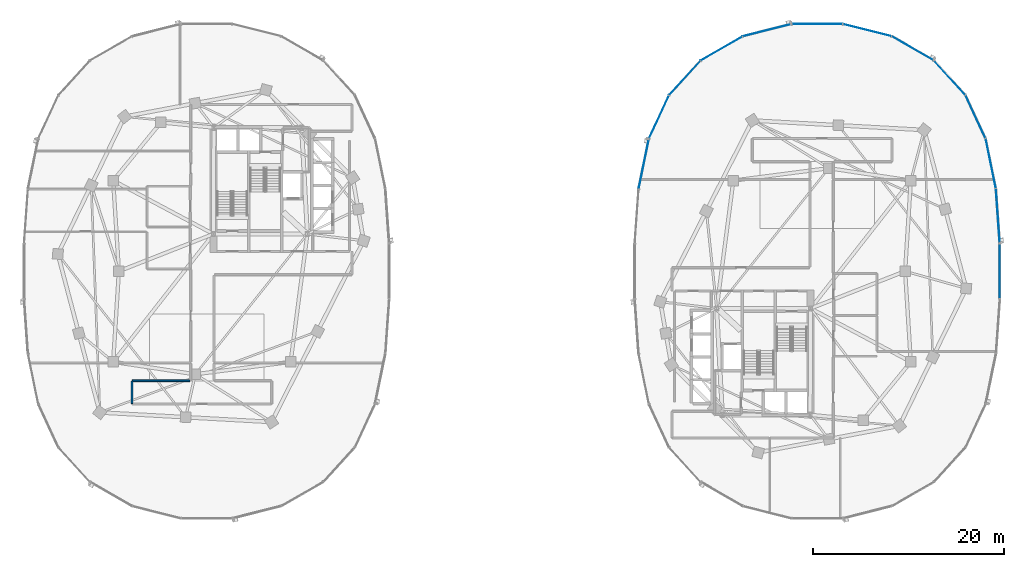
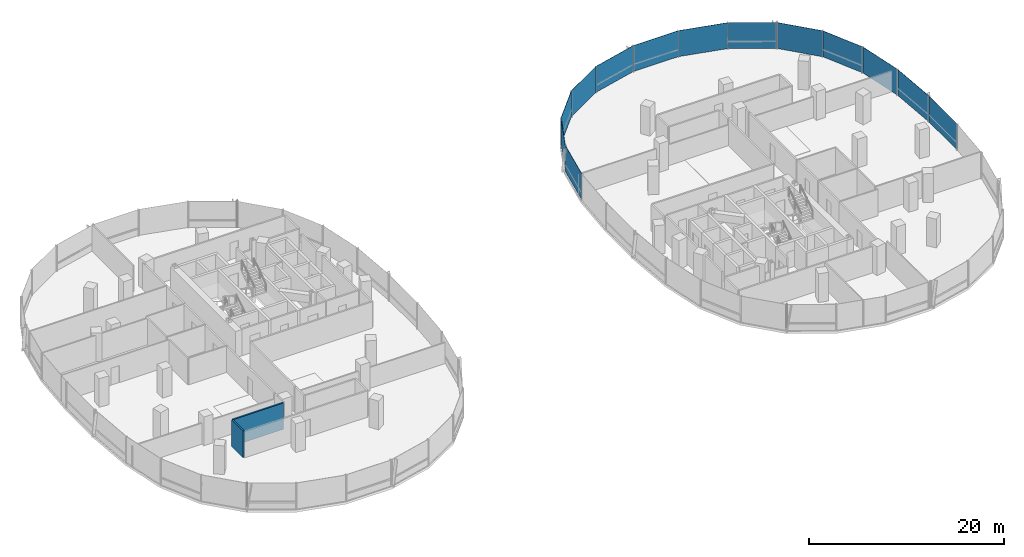
# One storey, part 10 of 21: 13 plates, 2 walls, 3 elements without a shape of their own.
"""IFC4 building model written with IfcOpenShell, lengths in metres."""

from ifc_helpers import new_model, si_unit, direction, frame, frame_2d, origin, origin_2d, place, context, subcontext, project, spatial, rectangle, extrude, material, layer, layer_set, type_object, element, aggregate, save


model = new_model("IFC4")

# Units and contexts
model_context = context("Model", 3, precision=1e-05, world=origin(), true_north=direction((0.0, 1.0)))
body_context = subcontext(model_context, "Body", "Model", "MODEL_VIEW")
ifc_project = project(units=[si_unit("LENGTHUNIT", "METRE"), si_unit("AREAUNIT", "SQUARE_METRE"), si_unit("VOLUMEUNIT", "CUBIC_METRE"), si_unit("PLANEANGLEUNIT", "RADIAN"), si_unit("MASSUNIT", "GRAM", prefix="KILO"), si_unit("THERMODYNAMICTEMPERATUREUNIT", "KELVIN"), si_unit("POWERUNIT", "WATT")], contexts=[model_context])

# Site, building, storey
site_placement = place(None, origin())
site = spatial("IfcSite", under=ifc_project, at=site_placement, CompositionType="ELEMENT")
building_placement = place(site_placement, origin())
building = spatial("IfcBuilding", under=site, at=building_placement, Name="Cundina Bronze Exchange", CompositionType="ELEMENT")
storey_placement = place(building_placement, frame((0.0, 0.0, 103.39990234375)))
storey = spatial("IfcBuildingStorey", under=building, at=storey_placement, Name="L26", CompositionType="ELEMENT", Elevation=103.39990234375)

# Curtain wall, plates
ifc_material_1 = material(Name="Anodised Bronze Aluminium 6063-T6", Category="aluminium")
curtain_wall_type = type_object("IfcCurtainWallType", Name="CWS-TRD-MID", PredefinedType="NOTDEFINED", material=ifc_material_1)
curtain_wall_1_placement = place(storey_placement, origin())
curtain_wall_1 = element("IfcCurtainWall", 1, at=curtain_wall_1_placement, inside=storey, type_object=curtain_wall_type, Name="L26 CW-03 Curtain Wall Run CWR-L26-E1", PredefinedType="NOTDEFINED")
ifc_material_2 = material(Name="Heat-Strengthened Solar-Control Bronze Safety Glass 28mm", Category="glass")
ifc_layer_1 = layer(ifc_material_2, 0.028076171875, Name="Heat-Strengthened Solar-Control Bronze Safety Glass 28mm", Category="glass")
ifc_layer_set_1 = layer_set([ifc_layer_1], Name="Heat-Strengthened Solar-Control Bronze Safety Glass 28mm")
plate_type_1 = type_object("IfcPlateType", Name="PLT-GLZ-VIS28", PredefinedType="CURTAIN_PANEL", material=ifc_layer_set_1)
plate_1_placement = place(storey_placement, frame((50.9267578125, 5.783935546875, 0.02001953125), z_axis=(0.0, 0.0, 1.0), x_axis=(-0.070278787473, 0.997527389113, 0.0)))
plate_1 = element("IfcPlate", 2, at=plate_1_placement, type_object=plate_type_1, Name="CW-03 Glazed Panel 1", PredefinedType="CURTAIN_PANEL", context=body_context, shape_type="SweptSolid", body=[
    extrude(rectangle(XDim=5.644287109375, YDim=0.028076171875, at=origin_2d()), origin(), (0.0, 0.0, 1.0), 3.260009765625),
])
plate_2_placement = place(storey_placement, frame((50.18408203125, 11.269775390625, 0.02001953125), z_axis=(0.0, 0.0, 1.0), x_axis=(-0.201419845156, 0.979505000486, 0.0)))
plate_2 = element("IfcPlate", 3, at=plate_2_placement, type_object=plate_type_1, Name="CW-03 Glazed Panel 2", PredefinedType="CURTAIN_PANEL", context=body_context, shape_type="SweptSolid", body=[
    extrude(rectangle(XDim=5.306640625, YDim=0.028076171875, at=origin_2d()), origin(), (0.0, 0.0, 1.0), 3.260009765625),
])
plate_3_placement = place(storey_placement, frame((48.586181640625, 16.177734375, 0.02001953125), z_axis=(0.0, 0.0, 1.0), x_axis=(-0.42084583328, 0.907132175932, 0.0)))
plate_3 = element("IfcPlate", 4, at=plate_3_placement, type_object=plate_type_1, Name="CW-03 Glazed Panel 3", PredefinedType="CURTAIN_PANEL", context=body_context, shape_type="SweptSolid", body=[
    extrude(rectangle(XDim=4.966552734375, YDim=0.028076171875, at=origin_2d()), origin(), (0.0, 0.0, 1.0), 3.260009765625),
])
plate_4_placement = place(storey_placement, frame((42.019287109375, 23.34423828125, 0.02001953125), z_axis=(0.0, 0.0, 1.0), x_axis=(-0.867105478933, 0.498124571171, 0.0)))
plate_4 = element("IfcPlate", 5, at=plate_4_placement, type_object=plate_type_1, Name="CW-03 Glazed Panel 5", PredefinedType="CURTAIN_PANEL", context=body_context, shape_type="SweptSolid", body=[
    extrude(rectangle(XDim=5.021240234375, YDim=0.028076171875, at=origin_2d()), origin(), (0.0, 0.0, 1.0), 3.260009765625),
])
plate_5_placement = place(storey_placement, frame((37.255615234375, 25.256591796875, 0.02001953125), z_axis=(0.0, 0.0, 1.0), x_axis=(-0.969488149345, 0.245138182011, 0.0)))
plate_5 = element("IfcPlate", 6, at=plate_5_placement, type_object=plate_type_1, Name="CW-03 Glazed Panel 6", PredefinedType="CURTAIN_PANEL", context=body_context, shape_type="SweptSolid", body=[
    extrude(rectangle(XDim=5.2333984375, YDim=0.028076171875, at=origin_2d()), origin(), (0.0, 0.0, 1.0), 3.260009765625),
])
plate_6_placement = place(storey_placement, frame((32.0, 25.905029296875, 0.02001953125), z_axis=(0.0, 0.0, 1.0), x_axis=(-1.0, 0.0, 0.0)))
plate_6 = element("IfcPlate", 7, at=plate_6_placement, type_object=plate_type_1, Name="CW-03 Glazed Panel 7", PredefinedType="CURTAIN_PANEL", context=body_context, shape_type="SweptSolid", body=[
    extrude(rectangle(XDim=5.323974609375, YDim=0.028076171875, at=origin_2d()), origin(), (0.0, 0.0, 1.0), 3.260009765625),
])

curtain_wall_2_placement = place(storey_placement, origin())
curtain_wall_2 = element("IfcCurtainWall", 8, at=curtain_wall_2_placement, inside=storey, type_object=curtain_wall_type, Name="L26 CW-03 Curtain Wall Run CWR-L26-E2", PredefinedType="NOTDEFINED")
plate_7_placement = place(storey_placement, frame((26.744384765625, 25.256591796875, 0.02001953125), z_axis=(0.0, 0.0, 1.0), x_axis=(-0.969488149345, -0.245138182011, 0.0)))
plate_7 = element("IfcPlate", 9, at=plate_7_placement, type_object=plate_type_1, Name="CW-03 Glazed Panel 1", PredefinedType="CURTAIN_PANEL", context=body_context, shape_type="SweptSolid", body=[
    extrude(rectangle(XDim=5.2333984375, YDim=0.028076171875, at=origin_2d()), origin(), (0.0, 0.0, 1.0), 3.260009765625),
])
plate_8_placement = place(storey_placement, frame((21.980712890625, 23.34423828125, 0.02001953125), z_axis=(0.0, 0.0, 1.0), x_axis=(-0.867105478933, -0.498124571171, 0.0)))
plate_8 = element("IfcPlate", 10, at=plate_8_placement, type_object=plate_type_1, Name="CW-03 Glazed Panel 2", PredefinedType="CURTAIN_PANEL", context=body_context, shape_type="SweptSolid", body=[
    extrude(rectangle(XDim=5.021240234375, YDim=0.028076171875, at=origin_2d()), origin(), (0.0, 0.0, 1.0), 3.260009765625),
])
plate_9_placement = place(storey_placement, frame((15.413818359375, 16.177734375, 0.02001953125), z_axis=(0.0, 0.0, 1.0), x_axis=(-0.42084583328, -0.907132175932, 0.0)))
plate_9 = element("IfcPlate", 11, at=plate_9_placement, type_object=plate_type_1, Name="CW-03 Glazed Panel 4", PredefinedType="CURTAIN_PANEL", context=body_context, shape_type="SweptSolid", body=[
    extrude(rectangle(XDim=4.966552734375, YDim=0.028076171875, at=origin_2d()), origin(), (0.0, 0.0, 1.0), 3.260009765625),
])
plate_10_placement = place(storey_placement, frame((13.81591796875, 11.269775390625, 0.02001953125), z_axis=(0.0, 0.0, 1.0), x_axis=(-0.201419845156, -0.979505000486, 0.0)))
plate_10 = element("IfcPlate", 12, at=plate_10_placement, type_object=plate_type_1, Name="CW-03 Glazed Panel 5", PredefinedType="CURTAIN_PANEL", context=body_context, shape_type="SweptSolid", body=[
    extrude(rectangle(XDim=5.306640625, YDim=0.028076171875, at=origin_2d()), origin(), (0.0, 0.0, 1.0), 3.260009765625),
])

# Curtain wall, plate
curtain_wall_3_placement = place(storey_placement, origin())
curtain_wall_3 = element("IfcCurtainWall", 13, at=curtain_wall_3_placement, inside=storey, type_object=curtain_wall_type, Name="L26 CW-03 Curtain Wall Run CWR-L26-E4", PredefinedType="NOTDEFINED")
plate_11_placement = place(storey_placement, frame((51.1279296875, 0.0, 0.02001953125), z_axis=(0.0, 0.0, 1.0), x_axis=(0.0, 1.0, 0.0)))
plate_11 = element("IfcPlate", 14, at=plate_11_placement, type_object=plate_type_1, Name="CW-03 Glazed Panel 7", PredefinedType="CURTAIN_PANEL", context=body_context, shape_type="SweptSolid", body=[
    extrude(rectangle(XDim=5.77587890625, YDim=0.028076171875, at=origin_2d()), origin(), (0.0, 0.0, 1.0), 3.260009765625),
])
aggregate(curtain_wall_3, [plate_11])

# Plate
ifc_material_3 = material(Name="Dark Bronze Spandrel Glass Panel 32mm", Category="glass")
ifc_layer_2 = layer(ifc_material_3, 0.031982421875, Name="Dark Bronze Spandrel Glass Panel 32mm", Category="glass")
ifc_layer_set_2 = layer_set([ifc_layer_2], Name="Dark Bronze Spandrel Glass Panel 32mm")
plate_type_2 = type_object("IfcPlateType", Name="PLT-SPN-BRZ32", PredefinedType="CURTAIN_PANEL", material=ifc_layer_set_2)
plate_12_placement = place(storey_placement, frame((45.8740234375, 20.267333984375, 0.02001953125), z_axis=(0.0, 0.0, 1.0), x_axis=(-0.674276610219, 0.73847887777, 0.0)))
plate_12 = element("IfcPlate", 15, at=plate_12_placement, type_object=plate_type_2, Name="CW-03 Glazed Panel 4", PredefinedType="CURTAIN_PANEL", context=body_context, shape_type="SweptSolid", body=[
    extrude(rectangle(XDim=4.86328125, YDim=0.031982421875, at=origin_2d()), origin(), (0.0, 0.0, 1.0), 3.260009765625),
])

aggregate(curtain_wall_1, [plate_1, plate_2, plate_3, plate_12, plate_4, plate_5, plate_6])

plate_13_placement = place(storey_placement, frame((18.1259765625, 20.267333984375, 0.02001953125), z_axis=(0.0, 0.0, 1.0), x_axis=(-0.674276610219, -0.73847887777, 0.0)))
plate_13 = element("IfcPlate", 16, at=plate_13_placement, type_object=plate_type_2, Name="CW-03 Glazed Panel 3", PredefinedType="CURTAIN_PANEL", context=body_context, shape_type="SweptSolid", body=[
    extrude(rectangle(XDim=4.86328125, YDim=0.031982421875, at=origin_2d()), origin(), (0.0, 0.0, 1.0), 3.260009765625),
])

aggregate(curtain_wall_2, [plate_7, plate_8, plate_13, plate_9, plate_10])

# Walls
ifc_material_4 = material(Name="Gypsum Fireboard Partition EI120")
ifc_layer_3 = layer(ifc_material_4, 0.179931640625, Name="Gypsum Fireboard Partition EI120")
ifc_layer_set_3 = layer_set([ifc_layer_3], Name="Gypsum Fireboard Partition EI120")
wall_type = type_object("IfcWallType", Name="WL-COR-180", PredefinedType="PARTITIONING", material=ifc_layer_set_3)
wall_1_placement = place(storey_placement, frame((-33.75, -11.47998046875, 0.0), z_axis=(0.0, 0.0, 1.0), x_axis=(-1.0, 0.0, 0.0)))
element("IfcWall", 17, at=wall_1_placement, inside=storey, type_object=wall_type, Name="L26 Interior Partition 021", PredefinedType="PARTITIONING", context=body_context, shape_type="SweptSolid", body=[
    extrude(rectangle(XDim=6.028564453125, YDim=0.179931640625, at=frame_2d((3.01416015625, 0.0))), origin(), (0.0, 0.0, 1.0), 3.300048828125),
])
wall_2_placement = place(storey_placement, frame((-39.820068359375, -11.521484375, 0.0), z_axis=(0.0, 0.0, 1.0), x_axis=(0.0, -1.0, 0.0)))
element("IfcWall", 18, at=wall_2_placement, inside=storey, type_object=wall_type, Name="L26 Interior Partition 023", PredefinedType="PARTITIONING", context=body_context, shape_type="SweptSolid", body=[
    extrude(rectangle(XDim=2.35693359375, YDim=0.179931640625, at=frame_2d((1.178466796875, 0.0))), origin(), (0.0, 0.0, 1.0), 3.300048828125),
])

save(model, "model.ifc")
